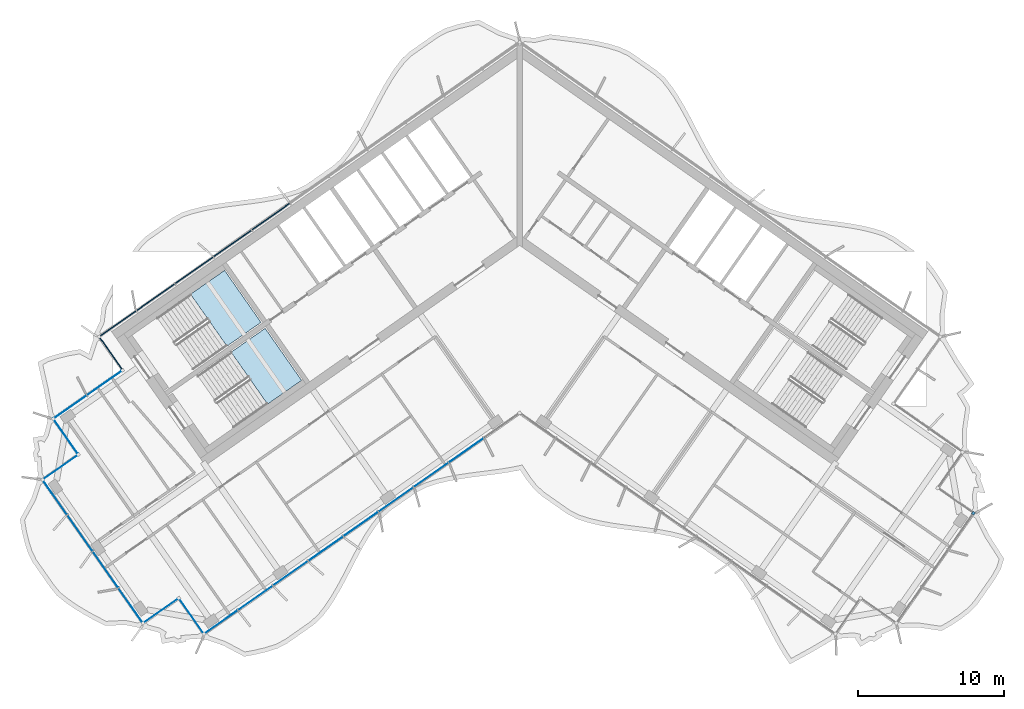
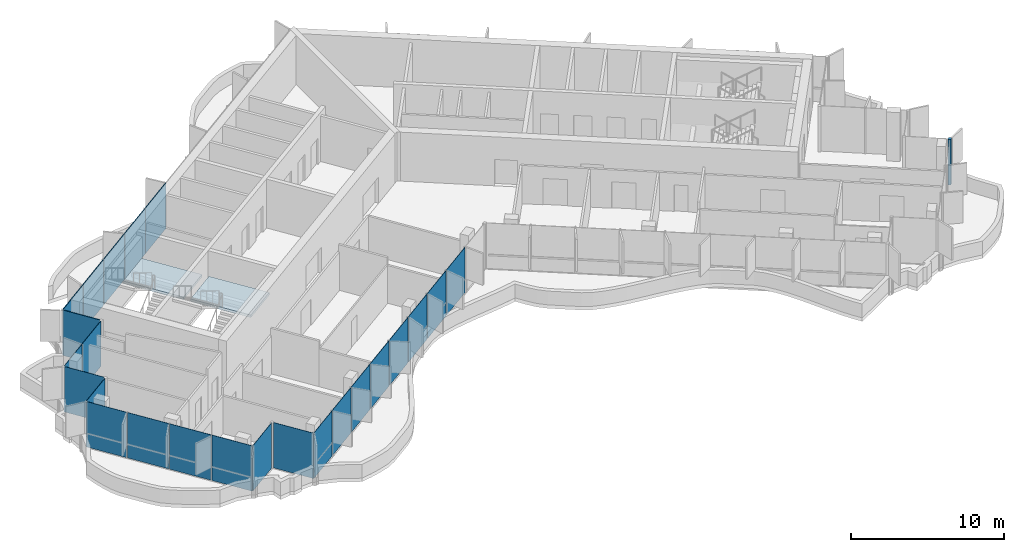
# One storey, part 7 of 18: 24 plates, 2 slabs, 1 member, 4 elements without a shape of their own.
"""IFC4 building model written with IfcOpenShell, lengths in metres."""

from ifc_helpers import new_model, si_unit, direction, frame, origin, origin_2d, place, context, subcontext, project, spatial, polyline, rectangle, outline, extrude, material, layer, layer_set, material_profile, profile_set, type_object, element, aggregate, save


model = new_model("IFC4")

# Units and contexts
model_context = context("Model", 3, precision=1e-05, world=origin(), true_north=direction((0.0, 1.0)))
body_context = subcontext(model_context, "Body", "Model", "MODEL_VIEW")
ifc_project = project(units=[si_unit("LENGTHUNIT", "METRE"), si_unit("AREAUNIT", "SQUARE_METRE"), si_unit("VOLUMEUNIT", "CUBIC_METRE"), si_unit("PLANEANGLEUNIT", "RADIAN"), si_unit("MASSUNIT", "GRAM", prefix="KILO")], contexts=[model_context])

# Site, building, storey
site_placement = place(None, origin())
site = spatial("IfcSite", under=ifc_project, at=site_placement, CompositionType="ELEMENT")
building_placement = place(site_placement, origin())
building = spatial("IfcBuilding", under=site, at=building_placement, Name="Tel Ilan Convention Tower", CompositionType="ELEMENT")
storey_placement = place(building_placement, frame((0.0, 0.0, 264.39990234375)))
storey = spatial("IfcBuildingStorey", under=building, at=storey_placement, Name="L62", CompositionType="ELEMENT", Elevation=264.39990234375)

# Curtain wall, member
ifc_material_1 = material(Name="Aluminium, bronze anodised", Category="aluminium")
curtain_wall_type_1 = type_object("IfcCurtainWallType", Name="CW5 STICK CURTAIN WALL, UPPER OFFICE LOW-IRON TINTED GLASS", PredefinedType="NOTDEFINED", material=ifc_material_1)
curtain_wall_1_placement = place(storey_placement, origin())
curtain_wall_1 = element("IfcCurtainWall", 1, at=curtain_wall_1_placement, inside=storey, type_object=curtain_wall_type_1, Name="Curtain wall CW5-47.02", PredefinedType="NOTDEFINED")
ifc_material_2 = material(Name="Aluminium, bronze anodised", Category="aluminium")
ifc_material_profile = material_profile(ifc_material_2, rectangle(XDim=0.199951171875, YDim=0.199951171875, at=origin_2d()), Name="CW CORNER MULLION 200x200")
ifc_profile_set = profile_set([ifc_material_profile], Name="Aluminium, bronze anodised")
member_type = type_object("IfcMemberType", Name="CW CORNER MULLION 200x200", PredefinedType="MULLION", material=ifc_profile_set)
member_placement = place(storey_placement, frame((31.09521484375, -19.57568359375, 0.0), z_axis=(0.0, 0.0, 1.0), x_axis=(0.573576436351, 0.819152044289, 0.0)))
member = element("IfcMember", 2, at=member_placement, type_object=member_type, Name="Corner mullion", PredefinedType="MULLION", context=body_context, shape_type="SweptSolid", body=[
    extrude(rectangle(XDim=0.199951171875, YDim=0.199951171875, at=origin_2d()), origin(), (0.0, 0.0, 1.0), 3.6201171875),
])

# Curtain wall, plates
ifc_material_3 = material(Name="Aluminium, bronze anodised", Category="aluminium")
curtain_wall_type_2 = type_object("IfcCurtainWallType", Name="CW2 STICK CURTAIN WALL, SPANDREL PANELS", PredefinedType="NOTDEFINED", material=ifc_material_3)
curtain_wall_2_placement = place(storey_placement, origin())
curtain_wall_2 = element("IfcCurtainWall", 3, at=curtain_wall_2_placement, inside=storey, type_object=curtain_wall_type_2, Name="Curtain wall CW2-47.01", PredefinedType="NOTDEFINED")
ifc_material_4 = material(Name="Aluminium composite panel, bronze anodised", Category="aluminium")
ifc_layer_1 = layer(ifc_material_4, 0.06005859375)
ifc_layer_set_1 = layer_set([ifc_layer_1], Name="CW SPANDREL PANEL 60")
plate_type_1 = type_object("IfcPlateType", Name="CW SPANDREL PANEL 60", PredefinedType="CURTAIN_PANEL", material=ifc_layer_set_1)
plate_1_placement = place(storey_placement, frame((-17.0546875, 0.754150390625, 0.0), z_axis=(0.0, 0.0, 1.0), x_axis=(-0.819152044289, -0.573576436351, 0.0)))
plate_1 = element("IfcPlate", 4, at=plate_1_placement, type_object=plate_type_1, Name="Spandrel panel", PredefinedType="CURTAIN_PANEL", context=body_context, shape_type="SweptSolid", body=[
    extrude(rectangle(XDim=3.15380859375, YDim=0.06005859375, at=origin_2d()), origin(), (0.0, 0.0, 1.0), 3.6201171875),
])
plate_2_placement = place(storey_placement, frame((-19.687255859375, -1.089111328125, 0.0), z_axis=(0.0, 0.0, 1.0), x_axis=(-0.819152044289, -0.573576436351, 0.0)))
plate_2 = element("IfcPlate", 5, at=plate_2_placement, type_object=plate_type_1, Name="Spandrel panel", PredefinedType="CURTAIN_PANEL", context=body_context, shape_type="SweptSolid", body=[
    extrude(rectangle(XDim=3.15380859375, YDim=0.06005859375, at=origin_2d()), origin(), (0.0, 0.0, 1.0), 3.6201171875),
])
plate_3_placement = place(storey_placement, frame((-22.31982421875, -2.9326171875, 0.0), z_axis=(0.0, 0.0, 1.0), x_axis=(-0.819152044289, -0.573576436351, 0.0)))
plate_3 = element("IfcPlate", 6, at=plate_3_placement, type_object=plate_type_1, Name="Spandrel panel", PredefinedType="CURTAIN_PANEL", context=body_context, shape_type="SweptSolid", body=[
    extrude(rectangle(XDim=3.15380859375, YDim=0.06005859375, at=origin_2d()), origin(), (0.0, 0.0, 1.0), 3.6201171875),
])
plate_4_placement = place(storey_placement, frame((-24.95263671875, -4.77587890625, 0.0), z_axis=(0.0, 0.0, 1.0), x_axis=(-0.819152044289, -0.573576436351, 0.0)))
plate_4 = element("IfcPlate", 7, at=plate_4_placement, type_object=plate_type_1, Name="Spandrel panel", PredefinedType="CURTAIN_PANEL", context=body_context, shape_type="SweptSolid", body=[
    extrude(rectangle(XDim=3.15380859375, YDim=0.06005859375, at=origin_2d()), origin(), (0.0, 0.0, 1.0), 3.6201171875),
])
plate_5_placement = place(storey_placement, frame((-27.5400390625, -6.587646484375, 0.0), z_axis=(0.0, 0.0, 1.0), x_axis=(-0.819152044289, -0.573576436351, 0.0)))
plate_5 = element("IfcPlate", 8, at=plate_5_placement, type_object=plate_type_1, Name="Spandrel panel", PredefinedType="CURTAIN_PANEL", context=body_context, shape_type="SweptSolid", body=[
    extrude(rectangle(XDim=3.0439453125, YDim=0.06005859375, at=origin_2d()), origin(), (0.0, 0.0, 1.0), 3.6201171875),
])
plate_6_placement = place(storey_placement, frame((-28.033935546875, -8.60546875, 0.0), z_axis=(0.0, 0.0, 1.0), x_axis=(0.573576436351, -0.819152044289, 0.0)))
plate_6 = element("IfcPlate", 9, at=plate_6_placement, type_object=plate_type_1, Name="Spandrel panel", PredefinedType="CURTAIN_PANEL", context=body_context, shape_type="SweptSolid", body=[
    extrude(rectangle(XDim=2.658935546875, YDim=0.06005859375, at=origin_2d()), origin(), (0.0, 0.0, 1.0), 3.6201171875),
])
aggregate(curtain_wall_2, [plate_1, plate_2, plate_3, plate_4, plate_5, plate_6])

# Plate
ifc_material_5 = material(Name="Glass, low-iron bronze tinted, two-ply", Category="glass")
ifc_layer_2 = layer(ifc_material_5, 0.031982421875)
ifc_layer_set_2 = layer_set([ifc_layer_2], Name="CW UPPER GLASS PANEL 32")
plate_type_2 = type_object("IfcPlateType", Name="CW UPPER GLASS PANEL 32", PredefinedType="CURTAIN_PANEL", material=ifc_layer_set_2)
plate_7_placement = place(storey_placement, frame((-28.471435546875, -10.657958984375, 0.0), z_axis=(0.0, 0.0, 1.0), x_axis=(-0.819152044289, -0.573576436351, 0.0)))
plate_7 = element("IfcPlate", 10, at=plate_7_placement, type_object=plate_type_2, Name="Glass panel", PredefinedType="CURTAIN_PANEL", context=body_context, shape_type="SweptSolid", body=[
    extrude(rectangle(XDim=2.868896484375, YDim=0.028076171875, at=origin_2d()), origin(), (0.0, 0.0, 1.0), 3.6201171875),
])

plate_8_placement = place(storey_placement, frame((-30.8203125, -12.302734375, 0.0), z_axis=(0.0, 0.0, 1.0), x_axis=(-0.819152044289, -0.573576436351, 0.0)))
plate_8 = element("IfcPlate", 11, at=plate_8_placement, type_object=plate_type_2, Name="Glass panel", PredefinedType="CURTAIN_PANEL", context=body_context, shape_type="SweptSolid", body=[
    extrude(rectangle(XDim=2.74609375, YDim=0.028076171875, at=origin_2d()), origin(), (0.0, 0.0, 1.0), 3.6201171875),
])

plate_9_placement = place(storey_placement, frame((-31.126220703125, -14.30126953125, 0.0), z_axis=(0.0, 0.0, 1.0), x_axis=(0.573576436351, -0.819152044289, 0.0)))
plate_9 = element("IfcPlate", 12, at=plate_9_placement, type_object=plate_type_2, Name="Glass panel", PredefinedType="CURTAIN_PANEL", context=body_context, shape_type="SweptSolid", body=[
    extrude(rectangle(XDim=2.875, YDim=0.028076171875, at=origin_2d()), origin(), (0.0, 0.0, 1.0), 3.6201171875),
])

plate_10_placement = place(storey_placement, frame((-31.504150390625, -16.44384765625, 0.0), z_axis=(0.0, 0.0, 1.0), x_axis=(-0.819152044289, -0.573576436351, 0.0)))
plate_10 = element("IfcPlate", 13, at=plate_10_placement, type_object=plate_type_2, Name="Glass panel", PredefinedType="CURTAIN_PANEL", context=body_context, shape_type="SweptSolid", body=[
    extrude(rectangle(XDim=2.875, YDim=0.028076171875, at=origin_2d()), origin(), (0.0, 0.0, 1.0), 3.6201171875),
])

plate_11_placement = place(storey_placement, frame((-31.85693359375, -18.488037109375, 0.0), z_axis=(0.0, 0.0, 1.0), x_axis=(0.573576436351, -0.819152044289, 0.0)))
plate_11 = element("IfcPlate", 14, at=plate_11_placement, type_object=plate_type_2, Name="Glass panel", PredefinedType="CURTAIN_PANEL", context=body_context, shape_type="SweptSolid", body=[
    extrude(rectangle(XDim=2.89599609375, YDim=0.028076171875, at=origin_2d()), origin(), (0.0, 0.0, 1.0), 3.6201171875),
])

plate_12_placement = place(storey_placement, frame((-30.134521484375, -20.94775390625, 0.0), z_axis=(0.0, 0.0, 1.0), x_axis=(0.573576436351, -0.819152044289, 0.0)))
plate_12 = element("IfcPlate", 15, at=plate_12_placement, type_object=plate_type_2, Name="Glass panel", PredefinedType="CURTAIN_PANEL", context=body_context, shape_type="SweptSolid", body=[
    extrude(rectangle(XDim=2.989990234375, YDim=0.028076171875, at=origin_2d()), origin(), (0.0, 0.0, 1.0), 3.6201171875),
])

plate_13_placement = place(storey_placement, frame((-28.38525390625, -23.4462890625, 0.0), z_axis=(0.0, 0.0, 1.0), x_axis=(0.573576436351, -0.819152044289, 0.0)))
plate_13 = element("IfcPlate", 16, at=plate_13_placement, type_object=plate_type_2, Name="Glass panel", PredefinedType="CURTAIN_PANEL", context=body_context, shape_type="SweptSolid", body=[
    extrude(rectangle(XDim=2.989990234375, YDim=0.028076171875, at=origin_2d()), origin(), (0.0, 0.0, 1.0), 3.6201171875),
])

plate_14_placement = place(storey_placement, frame((-26.66259765625, -25.90625, 0.0), z_axis=(0.0, 0.0, 1.0), x_axis=(0.573576436351, -0.819152044289, 0.0)))
plate_14 = element("IfcPlate", 17, at=plate_14_placement, type_object=plate_type_2, Name="Glass panel", PredefinedType="CURTAIN_PANEL", context=body_context, shape_type="SweptSolid", body=[
    extrude(rectangle(XDim=2.89599609375, YDim=0.028076171875, at=origin_2d()), origin(), (0.0, 0.0, 1.0), 3.6201171875),
])

plate_15_placement = place(storey_placement, frame((-24.621337890625, -26.273681640625, 0.0), z_axis=(0.0, 0.0, 1.0), x_axis=(0.819152044289, 0.573576436351, 0.0)))
plate_15 = element("IfcPlate", 18, at=plate_15_placement, type_object=plate_type_2, Name="Glass panel", PredefinedType="CURTAIN_PANEL", context=body_context, shape_type="SweptSolid", body=[
    extrude(rectangle(XDim=2.875, YDim=0.028076171875, at=origin_2d()), origin(), (0.0, 0.0, 1.0), 3.6201171875),
])

plate_16_placement = place(storey_placement, frame((-22.478515625, -26.651611328125, 0.0), z_axis=(0.0, 0.0, 1.0), x_axis=(0.573576436351, -0.819152044289, 0.0)))
plate_16 = element("IfcPlate", 19, at=plate_16_placement, type_object=plate_type_2, Name="Glass panel", PredefinedType="CURTAIN_PANEL", context=body_context, shape_type="SweptSolid", body=[
    extrude(rectangle(XDim=2.875, YDim=0.028076171875, at=origin_2d()), origin(), (0.0, 0.0, 1.0), 3.6201171875),
])

plate_17_placement = place(storey_placement, frame((-20.47998046875, -27.036376953125, 0.0), z_axis=(0.0, 0.0, 1.0), x_axis=(0.819152044289, 0.573576436351, 0.0)))
plate_17 = element("IfcPlate", 20, at=plate_17_placement, type_object=plate_type_2, Name="Glass panel", PredefinedType="CURTAIN_PANEL", context=body_context, shape_type="SweptSolid", body=[
    extrude(rectangle(XDim=2.78466796875, YDim=0.028076171875, at=origin_2d()), origin(), (0.0, 0.0, 1.0), 3.6201171875),
])

plate_18_placement = place(storey_placement, frame((-18.111328125, -25.377685546875, 0.0), z_axis=(0.0, 0.0, 1.0), x_axis=(0.819152044289, 0.573576436351, 0.0)))
plate_18 = element("IfcPlate", 21, at=plate_18_placement, type_object=plate_type_2, Name="Glass panel", PredefinedType="CURTAIN_PANEL", context=body_context, shape_type="SweptSolid", body=[
    extrude(rectangle(XDim=2.878662109375, YDim=0.028076171875, at=origin_2d()), origin(), (0.0, 0.0, 1.0), 3.6201171875),
])

plate_19_placement = place(storey_placement, frame((-15.7041015625, -23.692138671875, 0.0), z_axis=(0.0, 0.0, 1.0), x_axis=(0.819152044289, 0.573576436351, 0.0)))
plate_19 = element("IfcPlate", 22, at=plate_19_placement, type_object=plate_type_2, Name="Glass panel", PredefinedType="CURTAIN_PANEL", context=body_context, shape_type="SweptSolid", body=[
    extrude(rectangle(XDim=2.878662109375, YDim=0.028076171875, at=origin_2d()), origin(), (0.0, 0.0, 1.0), 3.6201171875),
])

plate_20_placement = place(storey_placement, frame((-13.296875, -22.006591796875, 0.0), z_axis=(0.0, 0.0, 1.0), x_axis=(0.819152044289, 0.573576436351, 0.0)))
plate_20 = element("IfcPlate", 23, at=plate_20_placement, type_object=plate_type_2, Name="Glass panel", PredefinedType="CURTAIN_PANEL", context=body_context, shape_type="SweptSolid", body=[
    extrude(rectangle(XDim=2.878662109375, YDim=0.028076171875, at=origin_2d()), origin(), (0.0, 0.0, 1.0), 3.6201171875),
])

plate_21_placement = place(storey_placement, frame((-10.8896484375, -20.321044921875, 0.0), z_axis=(0.0, 0.0, 1.0), x_axis=(0.819152044289, 0.573576436351, 0.0)))
plate_21 = element("IfcPlate", 24, at=plate_21_placement, type_object=plate_type_2, Name="Glass panel", PredefinedType="CURTAIN_PANEL", context=body_context, shape_type="SweptSolid", body=[
    extrude(rectangle(XDim=2.878662109375, YDim=0.028076171875, at=origin_2d()), origin(), (0.0, 0.0, 1.0), 3.6201171875),
])

plate_22_placement = place(storey_placement, frame((-8.482666015625, -18.635498046875, 0.0), z_axis=(0.0, 0.0, 1.0), x_axis=(0.819152044289, 0.573576436351, 0.0)))
plate_22 = element("IfcPlate", 25, at=plate_22_placement, type_object=plate_type_2, Name="Glass panel", PredefinedType="CURTAIN_PANEL", context=body_context, shape_type="SweptSolid", body=[
    extrude(rectangle(XDim=2.878662109375, YDim=0.028076171875, at=origin_2d()), origin(), (0.0, 0.0, 1.0), 3.6201171875),
])

plate_23_placement = place(storey_placement, frame((-6.075439453125, -16.949951171875, 0.0), z_axis=(0.0, 0.0, 1.0), x_axis=(0.819152044289, 0.573576436351, 0.0)))
plate_23 = element("IfcPlate", 26, at=plate_23_placement, type_object=plate_type_2, Name="Glass panel", PredefinedType="CURTAIN_PANEL", context=body_context, shape_type="SweptSolid", body=[
    extrude(rectangle(XDim=2.878662109375, YDim=0.028076171875, at=origin_2d()), origin(), (0.0, 0.0, 1.0), 3.6201171875),
])

plate_24_placement = place(storey_placement, frame((-3.668212890625, -15.264404296875, 0.0), z_axis=(0.0, 0.0, 1.0), x_axis=(0.819152044289, 0.573576436351, 0.0)))
plate_24 = element("IfcPlate", 27, at=plate_24_placement, type_object=plate_type_2, Name="Glass panel", PredefinedType="CURTAIN_PANEL", context=body_context, shape_type="SweptSolid", body=[
    extrude(rectangle(XDim=2.878662109375, YDim=0.028076171875, at=origin_2d()), origin(), (0.0, 0.0, 1.0), 3.6201171875),
])

aggregate(curtain_wall_1, [plate_7, plate_8, plate_9, plate_10, plate_11, plate_12, plate_13, plate_14, plate_15, plate_16, plate_17, plate_18, plate_19, plate_20, plate_21, plate_22, plate_23, plate_24, member])

# Stair, slab
ifc_material_6 = material(Name="Concrete C40/50", Category="concrete")
stair_type = type_object("IfcStairType", Name="Pressurised Exit Stair 22 risers 177 mm", PredefinedType="HALF_TURN_STAIR", material=ifc_material_6)
stair_1_placement = place(storey_placement, origin())
stair_1 = element("IfcStair", 28, at=stair_1_placement, inside=storey, type_object=stair_type, Name="L62 Pressurised Stair S1", PredefinedType="HALF_TURN_STAIR")
ifc_material_7 = material(Name="Concrete C40/50", Category="concrete")
ifc_layer_3 = layer(ifc_material_7, 0.199951171875)
ifc_layer_set_3 = layer_set([ifc_layer_3], Name="Concrete Stair Landing 200 mm C40/50")
slab_type = type_object("IfcSlabType", Name="Concrete Stair Landing 200 mm", PredefinedType="LANDING", material=ifc_layer_set_3)
slab_1_placement = place(storey_placement, frame((0.0, 0.0, 1.75)))
slab_1 = element("IfcSlab", 29, at=slab_1_placement, type_object=slab_type, Name="S1 landing 1", PredefinedType="LANDING", context=body_context, shape_type="SweptSolid", body=[
    extrude(outline(polyline([(-20.066650390625, -8.130126953125), (-17.7314453125, -6.494873046875), (-20.226318359375, -2.931640625), (-22.561767578125, -4.566650390625), (-20.066650390625, -8.130126953125)])), origin(), (0.0, 0.0, 1.0), 0.2001953125),
])
aggregate(stair_1, [slab_1])

stair_2_placement = place(storey_placement, origin())
stair_2 = element("IfcStair", 30, at=stair_2_placement, inside=storey, type_object=stair_type, Name="L62 Pressurised Stair S2", PredefinedType="HALF_TURN_STAIR")
slab_2_placement = place(storey_placement, frame((0.0, 0.0, 1.75)))
slab_2 = element("IfcSlab", 31, at=slab_2_placement, type_object=slab_type, Name="S2 landing 1", PredefinedType="LANDING", context=body_context, shape_type="SweptSolid", body=[
    extrude(outline(polyline([(-17.28466796875, -12.10302734375), (-14.949462890625, -10.4677734375), (-17.444580078125, -6.904541015625), (-19.77978515625, -8.53955078125), (-17.28466796875, -12.10302734375)])), origin(), (0.0, 0.0, 1.0), 0.2001953125),
])
aggregate(stair_2, [slab_2])

save(model, "model.ifc")
